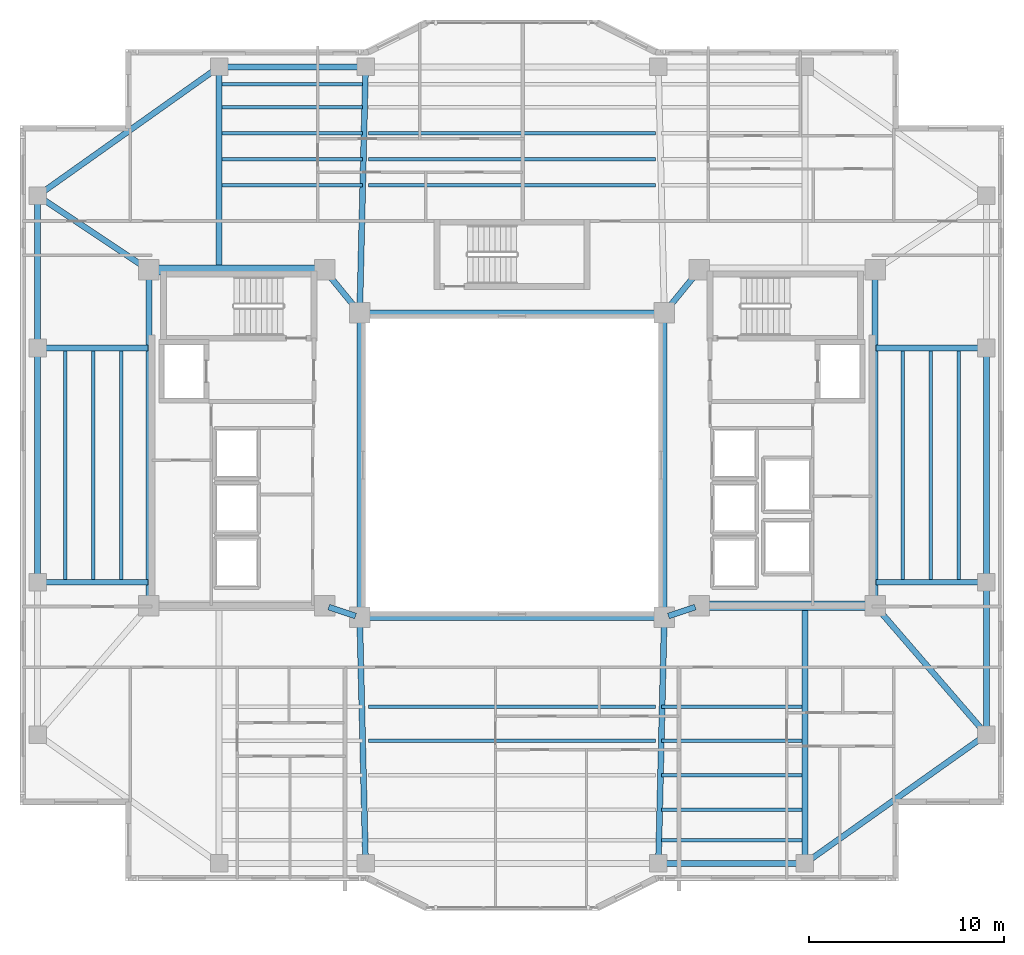
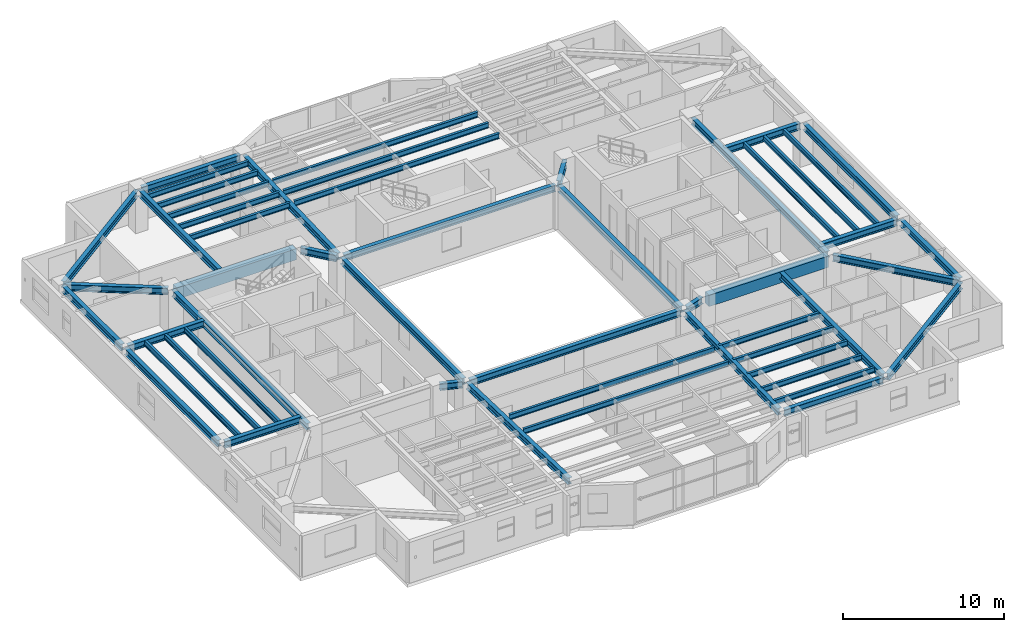
# One storey, part 3 of 15: 52 beams.
"""IFC4 building model written with IfcOpenShell, lengths in metres."""

from ifc_helpers import new_model, si_unit, direction, frame, origin, origin_2d, place, context, subcontext, project, spatial, rectangle, i_section, extrude, material, material_profile, profile_set, type_object, element, save


model = new_model("IFC4")

# Units and contexts
model_context = context("Model", 3, precision=1e-05, world=origin(), true_north=direction((0.0, 1.0)))
body_context = subcontext(model_context, "Body", "Model", "MODEL_VIEW")
ifc_project = project(units=[si_unit("LENGTHUNIT", "METRE"), si_unit("AREAUNIT", "SQUARE_METRE"), si_unit("VOLUMEUNIT", "CUBIC_METRE"), si_unit("PLANEANGLEUNIT", "RADIAN"), si_unit("MASSUNIT", "GRAM", prefix="KILO")], contexts=[model_context])

# Site, building, storey
site_placement = place(None, origin())
site = spatial("IfcSite", under=ifc_project, at=site_placement, CompositionType="ELEMENT")
building_placement = place(site_placement, origin())
building = spatial("IfcBuilding", under=site, at=building_placement, Name="Tarnavaz Court Tower", CompositionType="ELEMENT")
storey_placement = place(building_placement, frame((0.0, 0.0, 159.39990234375)))
storey = spatial("IfcBuildingStorey", under=building, at=storey_placement, Name="L43", CompositionType="ELEMENT", Elevation=159.39990234375)

# Beams
ifc_material_1 = material(Name="Concrete C50/60", Category="concrete")
ifc_material_profile_1 = material_profile(ifc_material_1, rectangle(XDim=0.5, YDim=0.85009765625, at=origin_2d()), Name="RC 500X850")
ifc_profile_set_1 = profile_set([ifc_material_profile_1], Name="Concrete C50/60")
beam_type_1 = type_object("IfcBeamType", Name="BM-CB850", PredefinedType="LINTEL", material=ifc_profile_set_1)
for number, where, z_axis, x_axis, name in (
    (1, (-18.3798828125, 10.0, 2.675048828125), (1.0, 0.0, 0.0), (0.0, 1.0, 0.0), "L43 Beam IN-CW-NO-CW-NI"),
    (2, (18.3798828125, -7.199951171875, 2.675048828125), (-1.0, 0.0, 0.0), (0.0, -1.0, 0.0), "L43 Beam IN-CE-SO-CE-SI"),
):
    element("IfcBeam", number, at=place(storey_placement, frame(where, z_axis=z_axis, x_axis=x_axis)), inside=storey, type_object=beam_type_1, Name=name, PredefinedType="LINTEL", context=body_context, shape_type="SweptSolid", body=[
        extrude(rectangle(XDim=0.5, YDim=0.85009765625, at=origin_2d()), origin(), (0.0, 0.0, 1.0), 8.559814453125),
    ])
ifc_material_2 = material(Name="Steel S355", Category="steel")
ifc_material_profile_2 = material_profile(ifc_material_2, i_section(OverallWidth=0.300048828125, OverallDepth=0.5, WebThickness=0.014404296875, FlangeThickness=0.028076171875, FilletRadius=0.027099609375, at=origin_2d()), Name="HEB 500")
ifc_profile_set_2 = profile_set([ifc_material_profile_2], Name="Steel S355")
beam_type_2 = type_object("IfcBeamType", Name="BM-G-HEB500", PredefinedType="USERDEFINED", material=ifc_profile_set_2)
for number, where, z_axis, x_axis, name in (
    (3, (-9.391357421875, -7.26953125, 2.85009765625), (0.948666544706, -0.316278021615, 0.0), (0.316278021615, 0.948666544706, 0.0), "L43 Beam IN-CW-SI-IW-SW"),
    (4, (9.391357421875, -7.26953125, 2.85009765625), (-0.948666544706, -0.316278021615, 0.0), (0.316278021615, -0.948666544706, 0.0), "L43 Beam IN-CE-SI-IW-SE"),
):
    element("IfcBeam", number, at=place(storey_placement, frame(where, z_axis=z_axis, x_axis=x_axis)), inside=storey, type_object=beam_type_2, Name=name, ObjectType="GIRDER", PredefinedType="USERDEFINED", context=body_context, shape_type="SweptSolid", body=[
        extrude(i_section(OverallWidth=0.300048828125, OverallDepth=0.5, WebThickness=0.014404296875, FlangeThickness=0.028076171875, FilletRadius=0.027099609375, at=origin_2d()), origin(), (0.0, 0.0, 1.0), 1.457275390625),
    ])
for number, where, z_axis, x_axis, name in (
    (5, (-9.460693359375, 9.82958984375, 2.85009765625), (0.633282058357, -0.773921077735, 0.0), (0.773921077735, 0.633282058357, 0.0), "L43 Beam IN-CW-NI-IW-NW"),
    (6, (9.460693359375, 9.82958984375, 2.85009765625), (-0.633282058357, -0.773921077735, 0.0), (0.773921077735, -0.633282058357, 0.0), "L43 Beam IN-CE-NI-IW-NE"),
):
    element("IfcBeam", number, at=place(storey_placement, frame(where, z_axis=z_axis, x_axis=x_axis)), inside=storey, type_object=beam_type_2, Name=name, ObjectType="GIRDER", PredefinedType="USERDEFINED", context=body_context, shape_type="SweptSolid", body=[
        extrude(i_section(OverallWidth=0.300048828125, OverallDepth=0.5, WebThickness=0.014404296875, FlangeThickness=0.028076171875, FilletRadius=0.027099609375, at=origin_2d()), origin(), (0.0, 0.0, 1.0), 2.402587890625),
    ])
for number, where, z_axis, x_axis, name in (
    (7, (-18.60009765625, -6.97998046875, 2.85009765625), (0.0, 1.0, 0.0), (-1.0, 0.0, 0.0), "L43 Beam IN-CW-SO-CW-NO"),
    (8, (18.60009765625, -6.97998046875, 2.85009765625), (0.0, 1.0, 0.0), (-1.0, 0.0, 0.0), "L43 Beam IN-CE-SO-CE-NO"),
):
    element("IfcBeam", number, at=place(storey_placement, frame(where, z_axis=z_axis, x_axis=x_axis)), inside=storey, type_object=beam_type_2, Name=name, ObjectType="GIRDER", PredefinedType="USERDEFINED", context=body_context, shape_type="SweptSolid", body=[
        extrude(i_section(OverallWidth=0.300048828125, OverallDepth=0.5, WebThickness=0.014404296875, FlangeThickness=0.028076171875, FilletRadius=0.027099609375, at=origin_2d()), origin(), (0.0, 0.0, 1.0), 16.760009765625),
    ])
beam_1_placement = place(storey_placement, frame((-15.0, 10.0400390625, 2.85009765625), z_axis=(0.0, 1.0, 0.0), x_axis=(-1.0, 0.0, 0.0)))
element("IfcBeam", 9, at=beam_1_placement, inside=storey, type_object=beam_type_2, Name="L43 Beam RG-01", ObjectType="GIRDER", PredefinedType="USERDEFINED", context=body_context, shape_type="SweptSolid", body=[
    extrude(i_section(OverallWidth=0.300048828125, OverallDepth=0.5, WebThickness=0.014404296875, FlangeThickness=0.028076171875, FilletRadius=0.027099609375, at=origin_2d()), origin(), (0.0, 0.0, 1.0), 10.139892578125),
])
for number, where, z_axis, x_axis, name in (
    (10, (-7.794921875, 8.02001953125, 2.85009765625), (0.023824748444, 0.999716150395, 0.0), (-0.999716150395, 0.023824748444, 0.0), "L43 Beam RG-02"),
    (11, (-7.794921875, -8.02001953125, 2.85009765625), (0.023824748444, -0.999716150395, 0.0), (0.999716150395, 0.023824748444, 0.0), "L43 Beam RG-06"),
    (12, (7.794921875, -8.02001953125, 2.85009765625), (-0.023824748444, -0.999716150395, 0.0), (0.999716150395, -0.023824748444, 0.0), "L43 Beam RG-07"),
):
    element("IfcBeam", number, at=place(storey_placement, frame(where, z_axis=z_axis, x_axis=x_axis)), inside=storey, type_object=beam_type_2, Name=name, ObjectType="GIRDER", PredefinedType="USERDEFINED", context=body_context, shape_type="SweptSolid", body=[
        extrude(i_section(OverallWidth=0.300048828125, OverallDepth=0.5, WebThickness=0.014404296875, FlangeThickness=0.028076171875, FilletRadius=0.027099609375, at=origin_2d()), origin(), (0.0, 0.0, 1.0), 12.16357421875),
    ])
beam_2_placement = place(storey_placement, frame((15.0, -7.239990234375, 2.85009765625), z_axis=(0.0, -1.0, 0.0), x_axis=(1.0, 0.0, 0.0)))
element("IfcBeam", 13, at=beam_2_placement, inside=storey, type_object=beam_type_2, Name="L43 Beam RG-08", ObjectType="GIRDER", PredefinedType="USERDEFINED", context=body_context, shape_type="SweptSolid", body=[
    extrude(i_section(OverallWidth=0.300048828125, OverallDepth=0.5, WebThickness=0.014404296875, FlangeThickness=0.028076171875, FilletRadius=0.027099609375, at=origin_2d()), origin(), (0.0, 0.0, 1.0), 12.93994140625),
])
for number, where, z_axis, x_axis, name in (
    (14, (18.639892578125, -6.0, 2.85009765625), (1.0, 0.0, 0.0), (0.0, 1.0, 0.0), "L43 Beam RG-09"),
    (15, (18.639892578125, 6.0, 2.85009765625), (1.0, 0.0, 0.0), (0.0, 1.0, 0.0), "L43 Beam RG-10"),
):
    element("IfcBeam", number, at=place(storey_placement, frame(where, z_axis=z_axis, x_axis=x_axis)), inside=storey, type_object=beam_type_2, Name=name, ObjectType="GIRDER", PredefinedType="USERDEFINED", context=body_context, shape_type="SweptSolid", body=[
        extrude(i_section(OverallWidth=0.300048828125, OverallDepth=0.5, WebThickness=0.014404296875, FlangeThickness=0.028076171875, FilletRadius=0.027099609375, at=origin_2d()), origin(), (0.0, 0.0, 1.0), 5.440185546875),
    ])
beam_3_placement = place(storey_placement, frame((18.743896484375, -7.366455078125, 2.85009765625), z_axis=(0.653610659012, -0.756830962914, 0.0), x_axis=(0.756830962914, 0.653610659012, 0.0)))
element("IfcBeam", 16, at=beam_3_placement, inside=storey, type_object=beam_type_2, Name="L43 Beam RG-11", ObjectType="GIRDER", PredefinedType="USERDEFINED", context=body_context, shape_type="SweptSolid", body=[
    extrude(i_section(OverallWidth=0.300048828125, OverallDepth=0.5, WebThickness=0.014404296875, FlangeThickness=0.028076171875, FilletRadius=0.027099609375, at=origin_2d()), origin(), (0.0, 0.0, 1.0), 8.28076171875),
])
for number, where, z_axis, x_axis, name in (
    (17, (-18.639892578125, -6.0, 2.85009765625), (-1.0, 0.0, 0.0), (0.0, -1.0, 0.0), "L43 Beam RG-13"),
    (18, (-18.639892578125, 6.0, 2.85009765625), (-1.0, 0.0, 0.0), (0.0, -1.0, 0.0), "L43 Beam RG-14"),
):
    element("IfcBeam", number, at=place(storey_placement, frame(where, z_axis=z_axis, x_axis=x_axis)), inside=storey, type_object=beam_type_2, Name=name, ObjectType="GIRDER", PredefinedType="USERDEFINED", context=body_context, shape_type="SweptSolid", body=[
        extrude(i_section(OverallWidth=0.300048828125, OverallDepth=0.5, WebThickness=0.014404296875, FlangeThickness=0.028076171875, FilletRadius=0.027099609375, at=origin_2d()), origin(), (0.0, 0.0, 1.0), 5.440185546875),
    ])
beam_4_placement = place(storey_placement, frame((-18.783203125, 10.1220703125, 2.85009765625), z_axis=(-0.832044435051, 0.554708985056, 0.0), x_axis=(-0.554708985056, -0.832044435051, 0.0)))
element("IfcBeam", 19, at=beam_4_placement, inside=storey, type_object=beam_type_2, Name="L43 Beam RG-16", ObjectType="GIRDER", PredefinedType="USERDEFINED", context=body_context, shape_type="SweptSolid", body=[
    extrude(i_section(OverallWidth=0.300048828125, OverallDepth=0.5, WebThickness=0.014404296875, FlangeThickness=0.028076171875, FilletRadius=0.027099609375, at=origin_2d()), origin(), (0.0, 0.0, 1.0), 6.410400390625),
])
ifc_material_profile_3 = material_profile(ifc_material_2, i_section(OverallWidth=0.179931640625, OverallDepth=0.39990234375, WebThickness=0.008544921875, FlangeThickness=0.013427734375, FilletRadius=0.02099609375, at=origin_2d()), Name="IPE 400")
ifc_profile_set_3 = profile_set([ifc_material_profile_3], Name="Steel S355")
beam_type_3 = type_object("IfcBeamType", Name="BM-J-IPE400", PredefinedType="JOIST", material=ifc_profile_set_3)
beam_5_placement = place(storey_placement, frame((-14.85009765625, 14.33203125, 2.900146484375), z_axis=(1.0, 0.0, 0.0), x_axis=(0.0, 1.0, 0.0)))
element("IfcBeam", 20, at=beam_5_placement, inside=storey, type_object=beam_type_3, Name="L43 Beam JN1-1", PredefinedType="JOIST", context=body_context, shape_type="SweptSolid", body=[
    extrude(i_section(OverallWidth=0.179931640625, OverallDepth=0.39990234375, WebThickness=0.008544921875, FlangeThickness=0.013427734375, FilletRadius=0.02099609375, at=origin_2d()), origin(), (0.0, 0.0, 1.0), 7.2001953125),
])
for number, where, z_axis, x_axis, name in (
    (21, (-7.35009765625, 14.33203125, 2.900146484375), (1.0, 0.0, 0.0), (0.0, 1.0, 0.0), "L43 Beam JN1-2"),
    (22, (-7.35009765625, -12.364013671875, 2.900146484375), (1.0, 0.0, 0.0), (0.0, 1.0, 0.0), "L43 Beam JS1-2"),
):
    element("IfcBeam", number, at=place(storey_placement, frame(where, z_axis=z_axis, x_axis=x_axis)), inside=storey, type_object=beam_type_3, Name=name, PredefinedType="JOIST", context=body_context, shape_type="SweptSolid", body=[
        extrude(i_section(OverallWidth=0.179931640625, OverallDepth=0.39990234375, WebThickness=0.008544921875, FlangeThickness=0.013427734375, FilletRadius=0.02099609375, at=origin_2d()), origin(), (0.0, 0.0, 1.0), 14.7001953125),
    ])
for number, where, z_axis, x_axis, name in (
    (23, (7.64990234375, -12.364013671875, 2.900146484375), (1.0, 0.0, 0.0), (0.0, 1.0, 0.0), "L43 Beam JS1-3"),
    (24, (-14.85009765625, 15.6640625, 2.900146484375), (1.0, 0.0, 0.0), (0.0, 1.0, 0.0), "L43 Beam JN2-1"),
):
    element("IfcBeam", number, at=place(storey_placement, frame(where, z_axis=z_axis, x_axis=x_axis)), inside=storey, type_object=beam_type_3, Name=name, PredefinedType="JOIST", context=body_context, shape_type="SweptSolid", body=[
        extrude(i_section(OverallWidth=0.179931640625, OverallDepth=0.39990234375, WebThickness=0.008544921875, FlangeThickness=0.013427734375, FilletRadius=0.02099609375, at=origin_2d()), origin(), (0.0, 0.0, 1.0), 7.2001953125),
    ])
for number, where, z_axis, x_axis, name in (
    (25, (-7.35009765625, 15.6640625, 2.900146484375), (1.0, 0.0, 0.0), (0.0, 1.0, 0.0), "L43 Beam JN2-2"),
    (26, (-7.35009765625, -14.1279296875, 2.900146484375), (1.0, 0.0, 0.0), (0.0, 1.0, 0.0), "L43 Beam JS2-2"),
):
    element("IfcBeam", number, at=place(storey_placement, frame(where, z_axis=z_axis, x_axis=x_axis)), inside=storey, type_object=beam_type_3, Name=name, PredefinedType="JOIST", context=body_context, shape_type="SweptSolid", body=[
        extrude(i_section(OverallWidth=0.179931640625, OverallDepth=0.39990234375, WebThickness=0.008544921875, FlangeThickness=0.013427734375, FilletRadius=0.02099609375, at=origin_2d()), origin(), (0.0, 0.0, 1.0), 14.7001953125),
    ])
for number, where, z_axis, x_axis, name in (
    (27, (7.64990234375, -14.1279296875, 2.900146484375), (1.0, 0.0, 0.0), (0.0, 1.0, 0.0), "L43 Beam JS2-3"),
    (28, (-14.85009765625, 16.99609375, 2.900146484375), (1.0, 0.0, 0.0), (0.0, 1.0, 0.0), "L43 Beam JN3-1"),
):
    element("IfcBeam", number, at=place(storey_placement, frame(where, z_axis=z_axis, x_axis=x_axis)), inside=storey, type_object=beam_type_3, Name=name, PredefinedType="JOIST", context=body_context, shape_type="SweptSolid", body=[
        extrude(i_section(OverallWidth=0.179931640625, OverallDepth=0.39990234375, WebThickness=0.008544921875, FlangeThickness=0.013427734375, FilletRadius=0.02099609375, at=origin_2d()), origin(), (0.0, 0.0, 1.0), 7.2001953125),
    ])
beam_6_placement = place(storey_placement, frame((-7.35009765625, 16.99609375, 2.900146484375), z_axis=(1.0, 0.0, 0.0), x_axis=(0.0, 1.0, 0.0)))
element("IfcBeam", 29, at=beam_6_placement, inside=storey, type_object=beam_type_3, Name="L43 Beam JN3-2", PredefinedType="JOIST", context=body_context, shape_type="SweptSolid", body=[
    extrude(i_section(OverallWidth=0.179931640625, OverallDepth=0.39990234375, WebThickness=0.008544921875, FlangeThickness=0.013427734375, FilletRadius=0.02099609375, at=origin_2d()), origin(), (0.0, 0.0, 1.0), 14.7001953125),
])
for number, where, z_axis, x_axis, name in (
    (30, (7.64990234375, -15.89208984375, 2.900146484375), (1.0, 0.0, 0.0), (0.0, 1.0, 0.0), "L43 Beam JS3-3"),
    (31, (-14.85009765625, 18.327880859375, 2.900146484375), (1.0, 0.0, 0.0), (0.0, 1.0, 0.0), "L43 Beam JN4-1"),
    (32, (7.64990234375, -17.656005859375, 2.900146484375), (1.0, 0.0, 0.0), (0.0, 1.0, 0.0), "L43 Beam JS4-3"),
    (33, (-14.85009765625, 19.511962890625, 2.900146484375), (1.0, 0.0, 0.0), (0.0, 1.0, 0.0), "L43 Beam JN5-1"),
    (34, (7.64990234375, -19.22412109375, 2.900146484375), (1.0, 0.0, 0.0), (0.0, 1.0, 0.0), "L43 Beam JS5-3"),
):
    element("IfcBeam", number, at=place(storey_placement, frame(where, z_axis=z_axis, x_axis=x_axis)), inside=storey, type_object=beam_type_3, Name=name, PredefinedType="JOIST", context=body_context, shape_type="SweptSolid", body=[
        extrude(i_section(OverallWidth=0.179931640625, OverallDepth=0.39990234375, WebThickness=0.008544921875, FlangeThickness=0.013427734375, FilletRadius=0.02099609375, at=origin_2d()), origin(), (0.0, 0.0, 1.0), 7.2001953125),
    ])
for number, where, z_axis, x_axis, name in (
    (35, (20.02490234375, -5.9599609375, 2.900146484375), (0.0, 1.0, 0.0), (-1.0, 0.0, 0.0), "L43 Beam JE1"),
    (36, (-20.02490234375, -5.9599609375, 2.900146484375), (0.0, 1.0, 0.0), (-1.0, 0.0, 0.0), "L43 Beam JW1"),
    (37, (21.449951171875, -5.9599609375, 2.900146484375), (0.0, 1.0, 0.0), (-1.0, 0.0, 0.0), "L43 Beam JE2"),
    (38, (-21.449951171875, -5.9599609375, 2.900146484375), (0.0, 1.0, 0.0), (-1.0, 0.0, 0.0), "L43 Beam JW2"),
    (39, (22.875, -5.9599609375, 2.900146484375), (0.0, 1.0, 0.0), (-1.0, 0.0, 0.0), "L43 Beam JE3"),
    (40, (-22.875, -5.9599609375, 2.900146484375), (0.0, 1.0, 0.0), (-1.0, 0.0, 0.0), "L43 Beam JW3"),
):
    element("IfcBeam", number, at=place(storey_placement, frame(where, z_axis=z_axis, x_axis=x_axis)), inside=storey, type_object=beam_type_3, Name=name, PredefinedType="JOIST", context=body_context, shape_type="SweptSolid", body=[
        extrude(i_section(OverallWidth=0.179931640625, OverallDepth=0.39990234375, WebThickness=0.008544921875, FlangeThickness=0.013427734375, FilletRadius=0.02099609375, at=origin_2d()), origin(), (0.0, 0.0, 1.0), 11.919921875),
    ])
ifc_material_profile_4 = material_profile(ifc_material_2, i_section(OverallWidth=0.300048828125, OverallDepth=0.489990234375, WebThickness=0.011962890625, FlangeThickness=0.02294921875, FilletRadius=0.027099609375, at=origin_2d()), Name="HEA 500")
ifc_profile_set_4 = profile_set([ifc_material_profile_4], Name="Steel S355")
beam_type_4 = type_object("IfcBeamType", Name="BM-SP-HEA500", PredefinedType="SPANDREL", material=ifc_profile_set_4)
for number, where, z_axis, x_axis, name in (
    (41, (-7.580078125, -7.800048828125, 2.85498046875), (1.0, 0.0, 0.0), (0.0, 1.0, 0.0), "L43 Beam IN-IW-SW-IW-SE"),
    (42, (-7.580078125, 7.800048828125, 2.85498046875), (1.0, 0.0, 0.0), (0.0, 1.0, 0.0), "L43 Beam IN-IW-NW-IW-NE"),
    (43, (-7.800048828125, -7.580078125, 2.85498046875), (0.0, 1.0, 0.0), (-1.0, 0.0, 0.0), "L43 Beam IN-IW-SW-IW-NW"),
    (44, (7.800048828125, -7.580078125, 2.85498046875), (0.0, 1.0, 0.0), (-1.0, 0.0, 0.0), "L43 Beam IN-IW-SE-IW-NE"),
):
    element("IfcBeam", number, at=place(storey_placement, frame(where, z_axis=z_axis, x_axis=x_axis)), inside=storey, type_object=beam_type_4, Name=name, PredefinedType="SPANDREL", context=body_context, shape_type="SweptSolid", body=[
        extrude(i_section(OverallWidth=0.300048828125, OverallDepth=0.489990234375, WebThickness=0.011962890625, FlangeThickness=0.02294921875, FilletRadius=0.027099609375, at=origin_2d()), origin(), (0.0, 0.0, 1.0), 15.16015625),
    ])
for number, where, z_axis, x_axis, name in (
    (45, (-14.780029296875, 20.39990234375, 2.85498046875), (1.0, 0.0, 0.0), (0.0, 1.0, 0.0), "L43 Beam PR-PN-1-PN-2"),
    (46, (7.719970703125, -20.39990234375, 2.85498046875), (1.0, 0.0, 0.0), (0.0, 1.0, 0.0), "L43 Beam PR-PS-3-PS-4"),
):
    element("IfcBeam", number, at=place(storey_placement, frame(where, z_axis=z_axis, x_axis=x_axis)), inside=storey, type_object=beam_type_4, Name=name, PredefinedType="SPANDREL", context=body_context, shape_type="SweptSolid", body=[
        extrude(i_section(OverallWidth=0.300048828125, OverallDepth=0.489990234375, WebThickness=0.011962890625, FlangeThickness=0.02294921875, FilletRadius=0.027099609375, at=origin_2d()), origin(), (0.0, 0.0, 1.0), 7.06005859375),
    ])
beam_7_placement = place(storey_placement, frame((24.300048828125, -13.580078125, 2.85498046875), z_axis=(0.0, 1.0, 0.0), x_axis=(-1.0, 0.0, 0.0)))
element("IfcBeam", 47, at=beam_7_placement, inside=storey, type_object=beam_type_4, Name="L43 Beam PR-PE-1-PE-2", PredefinedType="SPANDREL", context=body_context, shape_type="SweptSolid", body=[
    extrude(i_section(OverallWidth=0.300048828125, OverallDepth=0.489990234375, WebThickness=0.011962890625, FlangeThickness=0.02294921875, FilletRadius=0.027099609375, at=origin_2d()), origin(), (0.0, 0.0, 1.0), 7.360107421875),
])
for number, where, z_axis, x_axis, name in (
    (48, (24.300048828125, -5.780029296875, 2.85498046875), (0.0, 1.0, 0.0), (-1.0, 0.0, 0.0), "L43 Beam PR-PE-2-PE-3"),
    (49, (-24.300048828125, -5.780029296875, 2.85498046875), (0.0, 1.0, 0.0), (-1.0, 0.0, 0.0), "L43 Beam PR-PW-2-PW-3"),
):
    element("IfcBeam", number, at=place(storey_placement, frame(where, z_axis=z_axis, x_axis=x_axis)), inside=storey, type_object=beam_type_4, Name=name, PredefinedType="SPANDREL", context=body_context, shape_type="SweptSolid", body=[
        extrude(i_section(OverallWidth=0.300048828125, OverallDepth=0.489990234375, WebThickness=0.011962890625, FlangeThickness=0.02294921875, FilletRadius=0.027099609375, at=origin_2d()), origin(), (0.0, 0.0, 1.0), 11.56005859375),
    ])
beam_8_placement = place(storey_placement, frame((-24.300048828125, 6.219970703125, 2.85498046875), z_axis=(0.0, 1.0, 0.0), x_axis=(-1.0, 0.0, 0.0)))
element("IfcBeam", 50, at=beam_8_placement, inside=storey, type_object=beam_type_4, Name="L43 Beam PR-PW-3-PW-4", PredefinedType="SPANDREL", context=body_context, shape_type="SweptSolid", body=[
    extrude(i_section(OverallWidth=0.300048828125, OverallDepth=0.489990234375, WebThickness=0.011962890625, FlangeThickness=0.02294921875, FilletRadius=0.027099609375, at=origin_2d()), origin(), (0.0, 0.0, 1.0), 7.360107421875),
])
for number, where, z_axis, x_axis, name in (
    (51, (24.12060546875, -13.92724609375, 2.85498046875), (-0.815502059396, -0.57875417158, 0.0), (0.57875417158, -0.815502059396, 0.0), "L43 Beam PR-PE-1-PS-4"),
    (52, (-24.12060546875, 13.92724609375, 2.85498046875), (0.815502059396, 0.57875417158, 0.0), (-0.57875417158, 0.815502059396, 0.0), "L43 Beam PR-PW-4-PN-1"),
):
    element("IfcBeam", number, at=place(storey_placement, frame(where, z_axis=z_axis, x_axis=x_axis)), inside=storey, type_object=beam_type_4, Name=name, PredefinedType="SPANDREL", context=body_context, shape_type="SweptSolid", body=[
        extrude(i_section(OverallWidth=0.300048828125, OverallDepth=0.489990234375, WebThickness=0.011962890625, FlangeThickness=0.02294921875, FilletRadius=0.027099609375, at=origin_2d()), origin(), (0.0, 0.0, 1.0), 10.964111328125),
    ])

save(model, "model.ifc")
